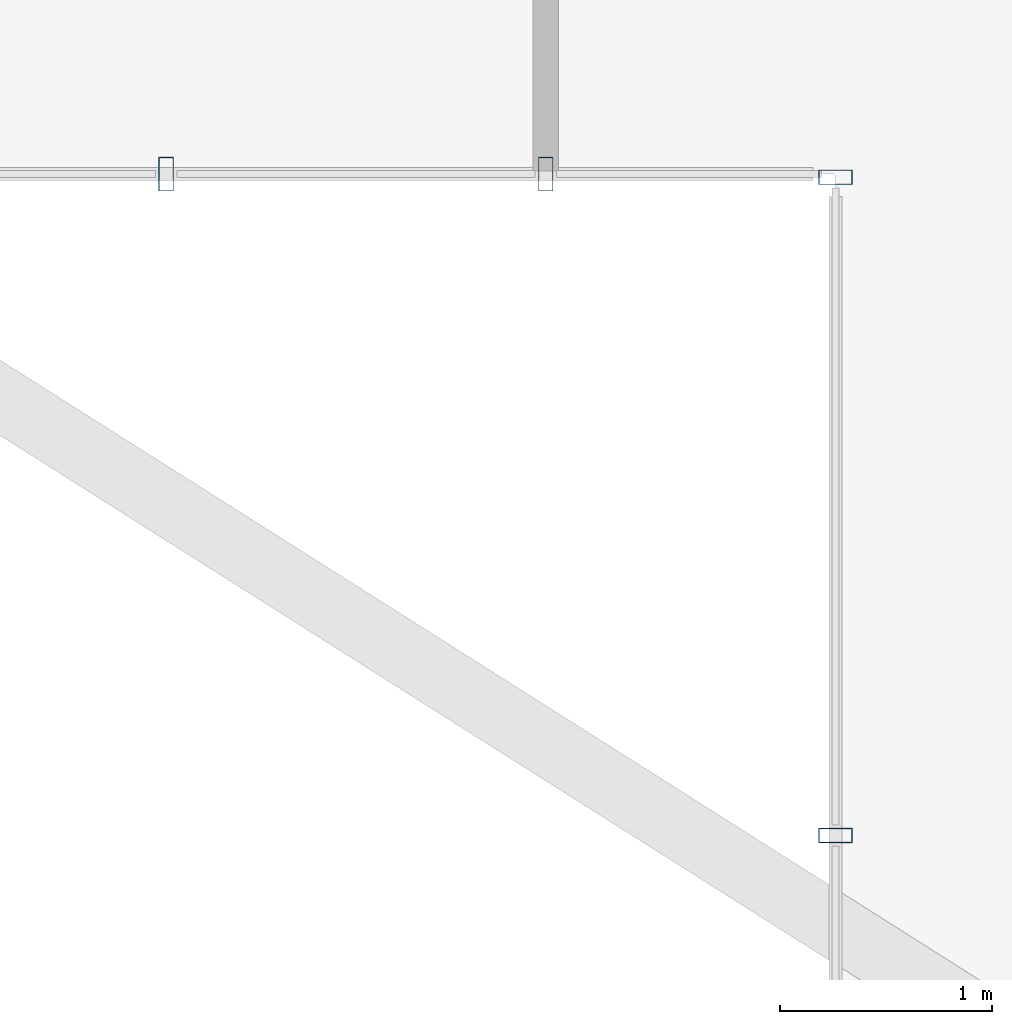
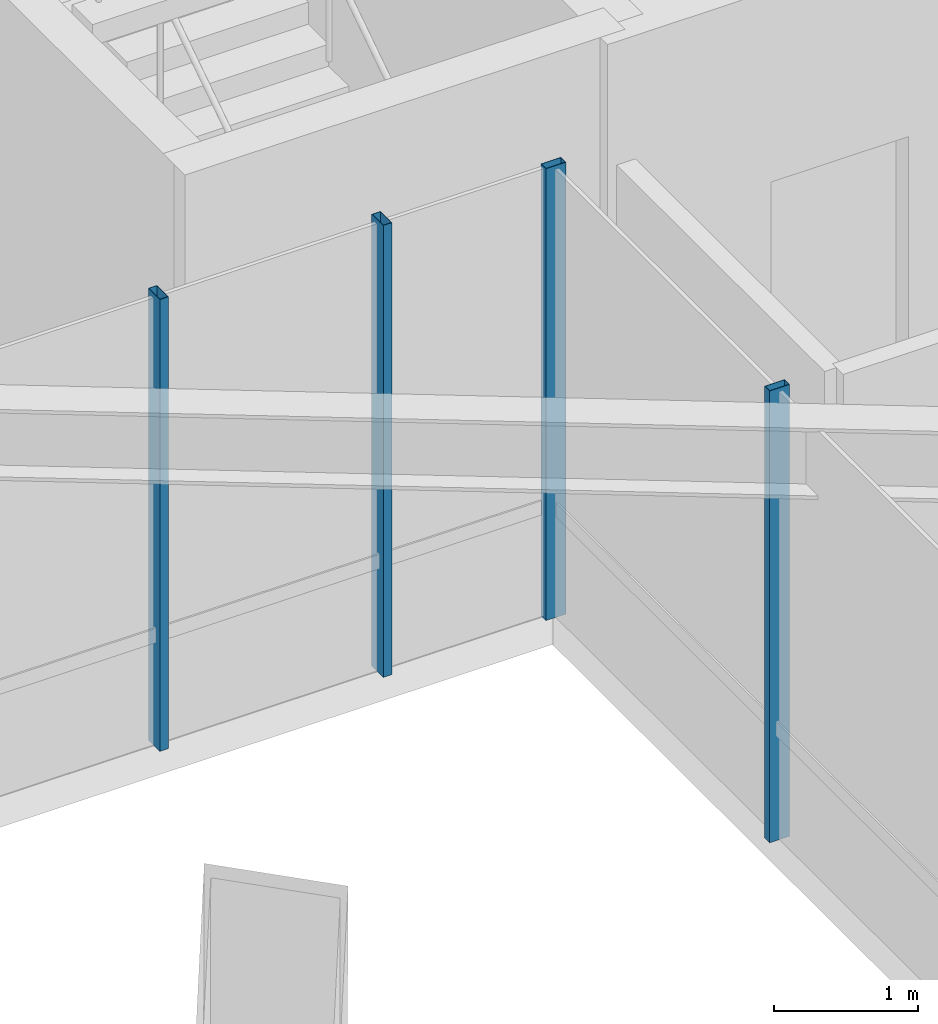
# One storey, part 5 of 24: 4 members, 2 elements without a shape of their own.
"""IFC4 building model written with IfcOpenShell, lengths in metres."""

from ifc_helpers import new_model, si_unit, direction, frame, origin, origin_2d, place, context, subcontext, project, spatial, hollow_rectangle, extrude, material, layer, layer_set, material_profile, profile_set, type_object, element, aggregate, save


model = new_model("IFC4")

# Units and contexts
model_context = context("Model", 3, precision=1e-05, world=origin(), true_north=direction((0.0, 1.0)))
body_context = subcontext(model_context, "Body", "Model", "MODEL_VIEW")
ifc_project = project(units=[si_unit("LENGTHUNIT", "METRE"), si_unit("AREAUNIT", "SQUARE_METRE"), si_unit("VOLUMEUNIT", "CUBIC_METRE"), si_unit("PLANEANGLEUNIT", "RADIAN"), si_unit("MASSUNIT", "GRAM", prefix="KILO")], contexts=[model_context])

# Site, building, storey
site_placement = place(None, origin())
site = spatial("IfcSite", under=ifc_project, at=site_placement, CompositionType="ELEMENT")
building_placement = place(site_placement, origin())
building = spatial("IfcBuilding", under=site, at=building_placement, Name="Zarrinselat Tower", CompositionType="ELEMENT")
storey_placement = place(building_placement, frame((0.0, 0.0, 68.340087890625)))
storey = spatial("IfcBuildingStorey", under=building, at=storey_placement, Name="L16", CompositionType="ELEMENT", Elevation=68.340087890625)

# Curtain wall, members
ifc_material_1 = material(Name="Extruded Aluminium Alloy EN AW-6063 T6", Category="aluminium")
ifc_layer = layer(ifc_material_1, 0.18994140625)
ifc_layer_set = layer_set([ifc_layer], Name="Extruded Aluminium Alloy EN AW-6063 T6")
curtain_wall_type = type_object("IfcCurtainWallType", Name="CWS-SG", PredefinedType="NOTDEFINED", material=ifc_layer_set)
curtain_wall_1_placement = place(storey_placement, origin())
curtain_wall_1 = element("IfcCurtainWall", 1, at=curtain_wall_1_placement, inside=storey, type_object=curtain_wall_type, Name="L16 Unitised Curtain Wall CW-L16-E24", PredefinedType="NOTDEFINED")
ifc_material_2 = material(Name="Extruded Aluminium Alloy EN AW-6063 T6", Category="aluminium")
ifc_material_profile = material_profile(ifc_material_2, hollow_rectangle(XDim=0.070068359375, YDim=0.159912109375, WallThickness=0.00390625, at=origin_2d()), Name="RHS 160x70x4")
ifc_profile_set = profile_set([ifc_material_profile], Name="Extruded Aluminium Alloy EN AW-6063 T6")
member_type = type_object("IfcMemberType", Name="MEM-CW-MUL2", PredefinedType="MULLION", material=ifc_profile_set)
member_1_placement = place(storey_placement, frame((27.363525390625, 28.902099609375, 0.0), z_axis=(0.0, 0.0, 1.0), x_axis=(0.0, 1.0, 0.0)))
member_1 = element("IfcMember", 2, at=member_1_placement, type_object=member_type, Name="CW-L16-E24 Mullion 2", PredefinedType="MULLION", context=body_context, shape_type="SweptSolid", body=[
    extrude(hollow_rectangle(XDim=0.070068359375, YDim=0.159912109375, WallThickness=0.00390625, at=origin_2d()), origin(), (0.0, 0.0, 1.0), 3.81982421875),
])
member_2_placement = place(storey_placement, frame((27.363525390625, 32.0, 0.0), z_axis=(0.0, 0.0, 1.0), x_axis=(0.0, 1.0, 0.0)))
member_2 = element("IfcMember", 3, at=member_2_placement, type_object=member_type, Name="CW-L16-E24 Mullion 3", PredefinedType="MULLION", context=body_context, shape_type="SweptSolid", body=[
    extrude(hollow_rectangle(XDim=0.070068359375, YDim=0.159912109375, WallThickness=0.00390625, at=origin_2d()), origin(), (0.0, 0.0, 1.0), 3.81982421875),
])
aggregate(curtain_wall_1, [member_1, member_2])

curtain_wall_2_placement = place(storey_placement, origin())
curtain_wall_2 = element("IfcCurtainWall", 4, at=curtain_wall_2_placement, inside=storey, type_object=curtain_wall_type, Name="L16 Unitised Curtain Wall CW-L16-E41", PredefinedType="NOTDEFINED")
member_3_placement = place(storey_placement, frame((26.0, 32.014892578125, 0.0), z_axis=(0.0, 0.0, 1.0), x_axis=(-1.0, 0.0, 0.0)))
member_3 = element("IfcMember", 5, at=member_3_placement, type_object=member_type, Name="CW-L16-E41 Mullion 1", PredefinedType="MULLION", context=body_context, shape_type="SweptSolid", body=[
    extrude(hollow_rectangle(XDim=0.070068359375, YDim=0.159912109375, WallThickness=0.00390625, at=origin_2d()), origin(), (0.0, 0.0, 1.0), 3.81982421875),
])
member_4_placement = place(storey_placement, frame((24.213134765625, 32.014892578125, 0.0), z_axis=(0.0, 0.0, 1.0), x_axis=(-1.0, 0.0, 0.0)))
member_4 = element("IfcMember", 6, at=member_4_placement, type_object=member_type, Name="CW-L16-E41 Mullion 2", PredefinedType="MULLION", context=body_context, shape_type="SweptSolid", body=[
    extrude(hollow_rectangle(XDim=0.070068359375, YDim=0.159912109375, WallThickness=0.00390625, at=origin_2d()), origin(), (0.0, 0.0, 1.0), 3.81982421875),
])
aggregate(curtain_wall_2, [member_3, member_4])

save(model, "model.ifc")
